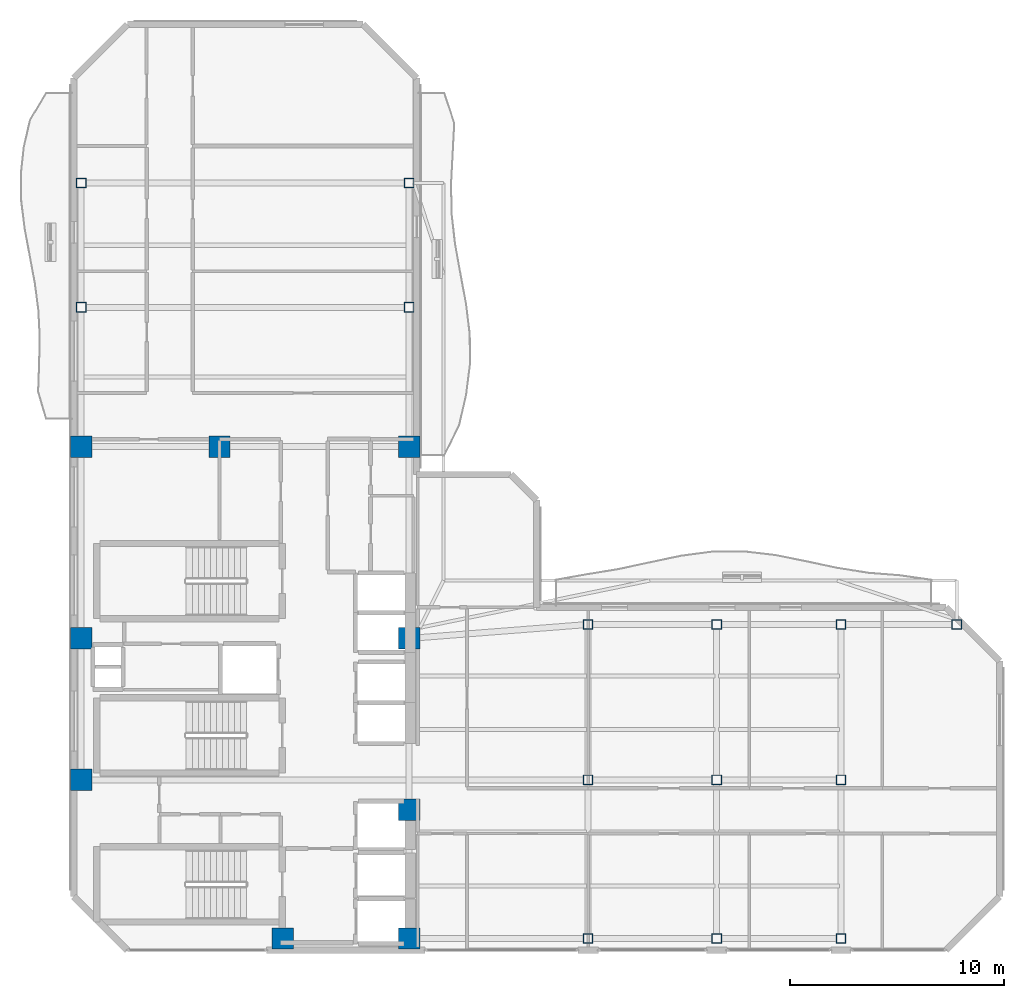
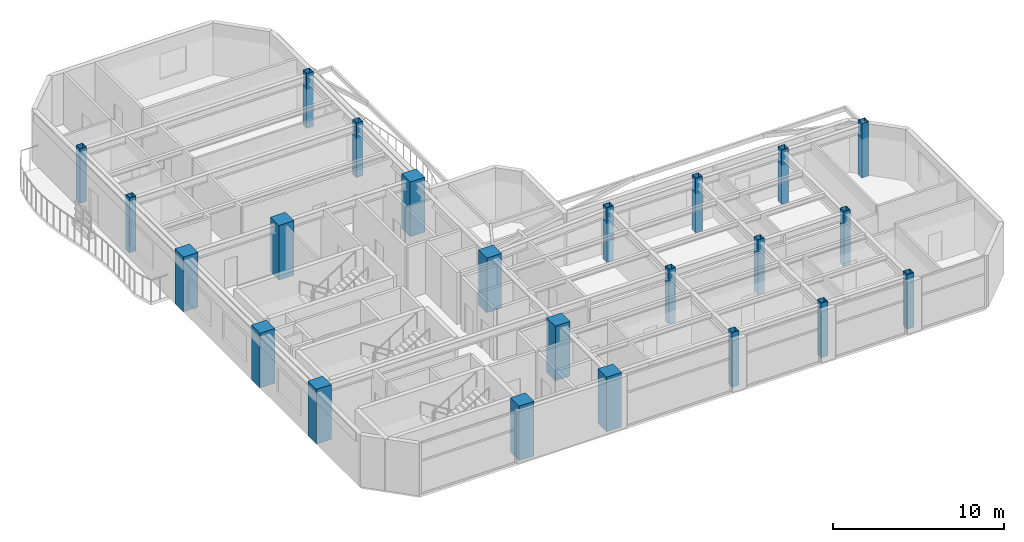
# One storey, part 1 of 16: 23 columns.
"""IFC4 building model written with IfcOpenShell, lengths in metres."""

from ifc_helpers import new_model, si_unit, direction, frame, origin, origin_2d, place, context, subcontext, project, spatial, rectangle, hollow_rectangle, extrude, material, material_profile, profile_set, type_object, element, save


model = new_model("IFC4")

# Units and contexts
model_context = context("Model", 3, precision=1e-05, world=origin(), true_north=direction((0.0, 1.0)))
body_context = subcontext(model_context, "Body", "Model", "MODEL_VIEW")
ifc_project = project(units=[si_unit("LENGTHUNIT", "METRE"), si_unit("AREAUNIT", "SQUARE_METRE"), si_unit("VOLUMEUNIT", "CUBIC_METRE"), si_unit("PLANEANGLEUNIT", "RADIAN"), si_unit("MASSUNIT", "GRAM", prefix="KILO")], contexts=[model_context])

# Site, building, storey
site_placement = place(None, origin())
site = spatial("IfcSite", under=ifc_project, at=site_placement, CompositionType="ELEMENT")
building_placement = place(site_placement, origin())
building = spatial("IfcBuilding", under=site, at=building_placement, Name="Mawjaban Terraces University", CompositionType="ELEMENT")
storey_placement = place(building_placement, frame((0.0, 0.0, 230.39990234375)))
storey = spatial("IfcBuildingStorey", under=building, at=storey_placement, Name="L56", CompositionType="ELEMENT", Elevation=230.39990234375)

# Columns
ifc_material_1 = material(Name="Concrete C60/75", Category="concrete")
ifc_material_profile_1 = material_profile(ifc_material_1, rectangle(XDim=1.0, YDim=1.0, at=origin_2d()), Name="RC1000X1000")
ifc_profile_set_1 = profile_set([ifc_material_profile_1], Name="Concrete C60/75")
column_type_1 = type_object("IfcColumnType", Name="Col_RC1000X1000", PredefinedType="COLUMN", material=ifc_profile_set_1)
for number, where, z_axis, x_axis, name in (
    (1, (31.75, 0.550048828125, 0.0), (0.0, 0.0, 1.0), (1.0, 0.0, 0.0), "L56 Column CC2"),
    (2, (37.64990234375, 0.550048828125, 0.0), (0.0, 0.0, 1.0), (1.0, 0.0, 0.0), "L56 Column CC3"),
    (3, (22.35009765625, 7.949951171875, 0.0), (0.0, 0.0, 1.0), (1.0, 0.0, 0.0), "L56 Column CC4"),
    (4, (37.64990234375, 6.550048828125, 0.0), (0.0, 0.0, 1.0), (1.0, 0.0, 0.0), "L56 Column CC5"),
    (5, (22.35009765625, 14.550048828125, 0.0), (0.0, 0.0, 1.0), (1.0, 0.0, 0.0), "L56 Column CC6"),
    (6, (37.64990234375, 14.550048828125, 0.0), (0.0, 0.0, 1.0), (1.0, 0.0, 0.0), "L56 Column CC7"),
    (7, (22.35009765625, 23.5, 0.0), (0.0, 0.0, 1.0), (1.0, 0.0, 0.0), "L56 Column CC8"),
    (8, (28.800048828125, 23.5, 0.0), (0.0, 0.0, 1.0), (1.0, 0.0, 0.0), "L56 Column CC9"),
    (9, (37.64990234375, 23.5, 0.0), (0.0, 0.0, 1.0), (1.0, 0.0, 0.0), "L56 Column CC10"),
):
    element("IfcColumn", number, at=place(storey_placement, frame(where, z_axis=z_axis, x_axis=x_axis)), inside=storey, type_object=column_type_1, Name=name, PredefinedType="COLUMN", context=body_context, shape_type="SweptSolid", body=[
        extrude(rectangle(XDim=1.0, YDim=1.0, at=origin_2d()), origin(), (0.0, 0.0, 1.0), 3.900146484375),
    ])
ifc_material_2 = material(Name="Steel EN 10210-1 S355J2H", Category="steel")
ifc_material_profile_2 = material_profile(ifc_material_2, hollow_rectangle(XDim=0.449951171875, YDim=0.449951171875, WallThickness=0.02001953125, at=origin_2d()), Name="SHS450X450X20")
ifc_profile_set_2 = profile_set([ifc_material_profile_2], Name="Steel EN 10210-1 S355J2H")
column_type_2 = type_object("IfcColumnType", Name="Col_SHS450X450X20", PredefinedType="COLUMN", material=ifc_profile_set_2)
for number, where, z_axis, x_axis, name in (
    (10, (46.0, 0.550048828125, 0.0), (0.0, 0.0, 1.0), (1.0, 0.0, 0.0), "L56 Column TE-460-005"),
    (11, (46.0, 7.949951171875, 0.0), (0.0, 0.0, 1.0), (1.0, 0.0, 0.0), "L56 Column TE-460-080"),
    (12, (46.0, 15.199951171875, 0.0), (0.0, 0.0, 1.0), (1.0, 0.0, 0.0), "L56 Column TE-460-152"),
    (13, (52.0, 0.550048828125, 0.0), (0.0, 0.0, 1.0), (1.0, 0.0, 0.0), "L56 Column TE-520-005"),
    (14, (52.0, 7.949951171875, 0.0), (0.0, 0.0, 1.0), (1.0, 0.0, 0.0), "L56 Column TE-520-080"),
    (15, (52.0, 15.199951171875, 0.0), (0.0, 0.0, 1.0), (1.0, 0.0, 0.0), "L56 Column TE-520-152"),
    (16, (57.800048828125, 0.550048828125, 0.0), (0.0, 0.0, 1.0), (1.0, 0.0, 0.0), "L56 Column TE-578-005"),
    (17, (57.800048828125, 7.949951171875, 0.0), (0.0, 0.0, 1.0), (1.0, 0.0, 0.0), "L56 Column TE-578-080"),
    (18, (57.800048828125, 15.199951171875, 0.0), (0.0, 0.0, 1.0), (1.0, 0.0, 0.0), "L56 Column TE-578-152"),
    (19, (63.199951171875, 15.199951171875, 0.0), (0.0, 0.0, 1.0), (1.0, 0.0, 0.0), "L56 Column TE-632-152"),
    (20, (22.35009765625, 30.0, 0.0), (0.0, 0.0, 1.0), (1.0, 0.0, 0.0), "L56 Column TN-223-300"),
    (21, (37.64990234375, 30.0, 0.0), (0.0, 0.0, 1.0), (1.0, 0.0, 0.0), "L56 Column TN-376-300"),
    (22, (22.35009765625, 35.800048828125, 0.0), (0.0, 0.0, 1.0), (1.0, 0.0, 0.0), "L56 Column TN-223-358"),
    (23, (37.64990234375, 35.800048828125, 0.0), (0.0, 0.0, 1.0), (1.0, 0.0, 0.0), "L56 Column TN-376-358"),
):
    element("IfcColumn", number, at=place(storey_placement, frame(where, z_axis=z_axis, x_axis=x_axis)), inside=storey, type_object=column_type_2, Name=name, PredefinedType="COLUMN", context=body_context, shape_type="SweptSolid", body=[
        extrude(hollow_rectangle(XDim=0.449951171875, YDim=0.449951171875, WallThickness=0.02001953125, at=origin_2d()), origin(), (0.0, 0.0, 1.0), 3.900146484375),
    ])

save(model, "model.ifc")
